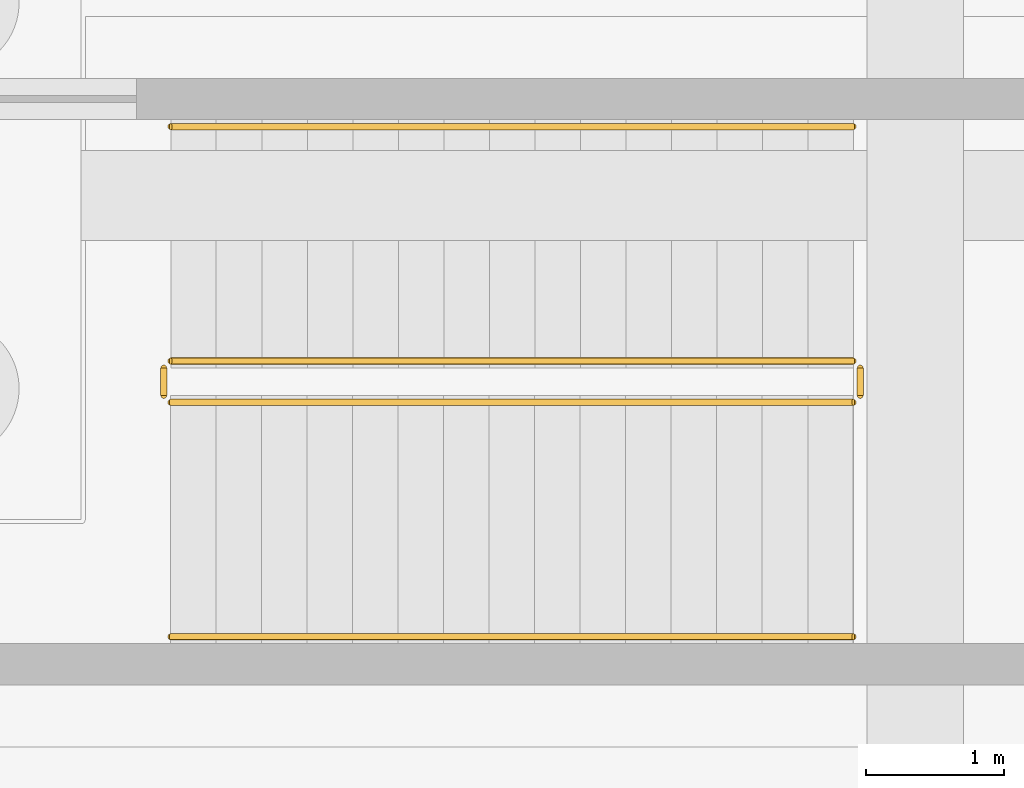
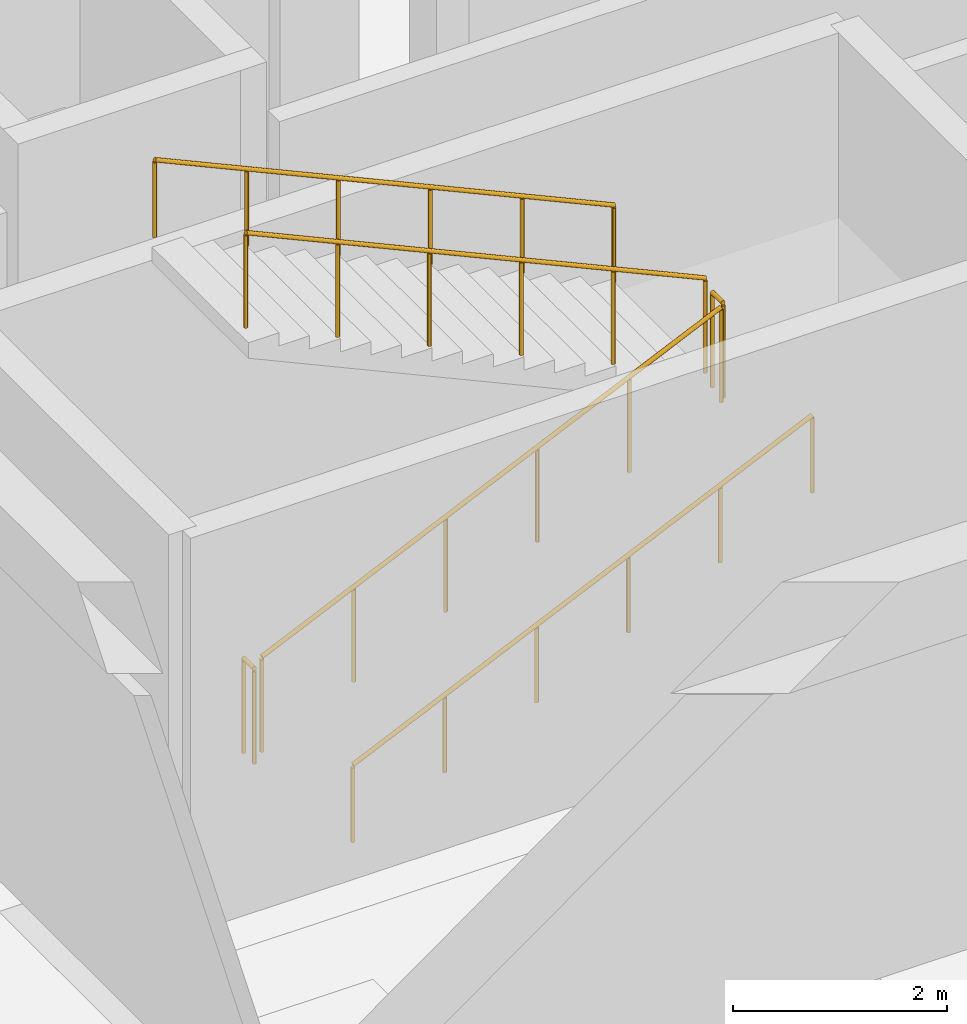
# One storey, part 75 of 80: 6 railings.
"""IFC4 building model written with IfcOpenShell, lengths in metres."""

from ifc_helpers import new_model, si_unit, direction, frame, origin, origin_2d, place, context, subcontext, project, spatial, circle, extrude, material, layer, layer_set, type_object, element, save


model = new_model("IFC4")

# Units and contexts
model_context = context("Model", 3, precision=1e-05, world=origin(), true_north=direction((0.0, 1.0)))
body_context = subcontext(model_context, "Body", "Model", "MODEL_VIEW")
ifc_project = project(units=[si_unit("LENGTHUNIT", "METRE"), si_unit("AREAUNIT", "SQUARE_METRE"), si_unit("VOLUMEUNIT", "CUBIC_METRE"), si_unit("PLANEANGLEUNIT", "RADIAN"), si_unit("MASSUNIT", "GRAM", prefix="KILO")], contexts=[model_context])

# Site, building, storey
site_placement = place(None, origin())
site = spatial("IfcSite", under=ifc_project, at=site_placement, CompositionType="ELEMENT")
building_placement = place(site_placement, origin())
building = spatial("IfcBuilding", under=site, at=building_placement, Name="Malvenik Polytechnic", CompositionType="ELEMENT")
storey_placement = place(building_placement, frame((0.0, 0.0, -4.800048828125)))
storey = spatial("IfcBuildingStorey", under=building, at=storey_placement, Name="B1", CompositionType="ELEMENT", Elevation=-4.800048828125)

# Railings
ifc_material_1 = material(Name="Painted galvanised steel stair well balustrade 1100mm", Category="steel")
ifc_layer_1 = layer(ifc_material_1, 0.050048828125)
ifc_layer_set_1 = layer_set([ifc_layer_1], Name="Painted galvanised steel stair well balustrade 1100mm")
railing_type_1 = type_object("IfcRailingType", Name="ARC-RL-STGD", PredefinedType="BALUSTRADE", material=ifc_layer_set_1)
railing_1_placement = place(storey_placement, frame((53.39990234375, 120.89990234375, 0.150146484375)))
element("IfcRailing", 1, at=railing_1_placement, inside=storey, type_object=railing_type_1, Name="B1 ST-02 stair guard 1", PredefinedType="BALUSTRADE", context=body_context, shape_type="SweptSolid", body=[
    extrude(circle(Radius=0.02392578125, at=origin_2d()), frame((0.0, 0.0, 1.076171875), z_axis=(0.910372627913, 0.0, 0.413789413043), x_axis=(0.0, 1.0, 0.0)), (0.0, 0.0, 1.0), 5.4375),
    extrude(circle(Radius=0.02099609375, at=origin_2d()), origin(), (0.0, 0.0, 1.0), 1.052001953125),
    extrude(circle(Radius=0.02099609375, at=origin_2d()), frame((0.989990234375, 0.0, 0.449951171875)), (0.0, 0.0, 1.0), 1.052001953125),
    extrude(circle(Radius=0.02099609375, at=origin_2d()), frame((1.97998046875, 0.0, 0.89990234375)), (0.0, 0.0, 1.0), 1.052001953125),
    extrude(circle(Radius=0.02099609375, at=origin_2d()), frame((2.97021484375, 0.0, 1.35009765625)), (0.0, 0.0, 1.0), 1.052001953125),
    extrude(circle(Radius=0.02099609375, at=origin_2d()), frame((3.960205078125, 0.0, 1.800048828125)), (0.0, 0.0, 1.0), 1.052001953125),
    extrude(circle(Radius=0.02099609375, at=origin_2d()), frame((4.9501953125, 0.0, 2.25)), (0.0, 0.0, 1.0), 1.052001953125),
])
railing_2_placement = place(storey_placement, frame((58.39990234375, 120.949951171875, 2.400146484375)))
element("IfcRailing", 2, at=railing_2_placement, inside=storey, type_object=railing_type_1, Name="B1 ST-02 stair guard 2", PredefinedType="BALUSTRADE", context=body_context, shape_type="SweptSolid", body=[
    extrude(circle(Radius=0.02392578125, at=origin_2d()), frame((0.0, 0.0, 1.076171875), z_axis=(0.0, 1.0, 0.0), x_axis=(-1.0, 0.0, 0.0)), (0.0, 0.0, 1.0), 0.199951171875),
    extrude(circle(Radius=0.02099609375, at=origin_2d()), origin(), (0.0, 0.0, 1.0), 1.052001953125),
    extrude(circle(Radius=0.02099609375, at=origin_2d()), frame((0.0, 0.199951171875, 0.0)), (0.0, 0.0, 1.0), 1.052001953125),
])
railing_3_placement = place(storey_placement, frame((58.35009765625, 121.199951171875, 2.550048828125)))
element("IfcRailing", 3, at=railing_3_placement, inside=storey, type_object=railing_type_1, Name="B1 ST-02 stair guard 3", PredefinedType="BALUSTRADE", context=body_context, shape_type="SweptSolid", body=[
    extrude(circle(Radius=0.02392578125, at=origin_2d()), frame((0.0, 0.0, 1.076171875), z_axis=(-0.910372627913, 0.0, 0.413789413043), x_axis=(0.0, -1.0, 0.0)), (0.0, 0.0, 1.0), 5.4375),
    extrude(circle(Radius=0.02099609375, at=origin_2d()), origin(), (0.0, 0.0, 1.0), 1.052001953125),
    extrude(circle(Radius=0.02099609375, at=origin_2d()), frame((-0.989990234375, 0.0, 0.449951171875)), (0.0, 0.0, 1.0), 1.052001953125),
    extrude(circle(Radius=0.02099609375, at=origin_2d()), frame((-1.97998046875, 0.0, 0.89990234375)), (0.0, 0.0, 1.0), 1.052001953125),
    extrude(circle(Radius=0.02099609375, at=origin_2d()), frame((-2.97021484375, 0.0, 1.35009765625)), (0.0, 0.0, 1.0), 1.052001953125),
    extrude(circle(Radius=0.02099609375, at=origin_2d()), frame((-3.960205078125, 0.0, 1.800048828125)), (0.0, 0.0, 1.0), 1.052001953125),
    extrude(circle(Radius=0.02099609375, at=origin_2d()), frame((-4.9501953125, 0.0, 2.25)), (0.0, 0.0, 1.0), 1.052001953125),
])
railing_4_placement = place(storey_placement, frame((53.35009765625, 120.949951171875, 0.0)))
element("IfcRailing", 4, at=railing_4_placement, inside=storey, type_object=railing_type_1, Name="B1 ST-02 stair guard 4", PredefinedType="BALUSTRADE", context=body_context, shape_type="SweptSolid", body=[
    extrude(circle(Radius=0.02392578125, at=origin_2d()), frame((0.0, 0.0, 1.076171875), z_axis=(0.0, 1.0, 0.0), x_axis=(-1.0, 0.0, 0.0)), (0.0, 0.0, 1.0), 0.199951171875),
    extrude(circle(Radius=0.02099609375, at=origin_2d()), origin(), (0.0, 0.0, 1.0), 1.052001953125),
    extrude(circle(Radius=0.02099609375, at=origin_2d()), frame((0.0, 0.199951171875, 0.0)), (0.0, 0.0, 1.0), 1.052001953125),
])
ifc_material_2 = material(Name="Brushed stainless steel 1.4301 stair wall handrail", Category="steel")
ifc_layer_2 = layer(ifc_material_2, 0.044921875)
ifc_layer_set_2 = layer_set([ifc_layer_2], Name="Brushed stainless steel 1.4301 stair wall handrail")
railing_type_2 = type_object("IfcRailingType", Name="ARC-RL-STHR", PredefinedType="HANDRAIL", material=ifc_layer_set_2)
railing_5_placement = place(storey_placement, frame((53.39990234375, 119.199951171875, 0.150146484375)))
element("IfcRailing", 5, at=railing_5_placement, inside=storey, type_object=railing_type_2, Name="B1 ST-02 stair handrail 1", PredefinedType="HANDRAIL", context=body_context, shape_type="SweptSolid", body=[
    extrude(circle(Radius=0.02392578125, at=origin_2d()), frame((0.0, 0.0, 0.8759765625), z_axis=(0.910372627913, 0.0, 0.413789413043), x_axis=(0.0, 1.0, 0.0)), (0.0, 0.0, 1.0), 5.4375),
    extrude(circle(Radius=0.02099609375, at=origin_2d()), origin(), (0.0, 0.0, 1.0), 0.851806640625),
    extrude(circle(Radius=0.02099609375, at=origin_2d()), frame((0.989990234375, 0.0, 0.449951171875)), (0.0, 0.0, 1.0), 0.851806640625),
    extrude(circle(Radius=0.02099609375, at=origin_2d()), frame((1.97998046875, 0.0, 0.89990234375)), (0.0, 0.0, 1.0), 0.851806640625),
    extrude(circle(Radius=0.02099609375, at=origin_2d()), frame((2.97021484375, 0.0, 1.35009765625)), (0.0, 0.0, 1.0), 0.851806640625),
    extrude(circle(Radius=0.02099609375, at=origin_2d()), frame((3.960205078125, 0.0, 1.800048828125)), (0.0, 0.0, 1.0), 0.851806640625),
    extrude(circle(Radius=0.02099609375, at=origin_2d()), frame((4.9501953125, 0.0, 2.25)), (0.0, 0.0, 1.0), 0.851806640625),
])
railing_6_placement = place(storey_placement, frame((58.35009765625, 122.89990234375, 2.550048828125)))
element("IfcRailing", 6, at=railing_6_placement, inside=storey, type_object=railing_type_2, Name="B1 ST-02 stair handrail 2", PredefinedType="HANDRAIL", context=body_context, shape_type="SweptSolid", body=[
    extrude(circle(Radius=0.02392578125, at=origin_2d()), frame((0.0, 0.0, 0.8759765625), z_axis=(-0.910372627913, 0.0, 0.413789413043), x_axis=(0.0, -1.0, 0.0)), (0.0, 0.0, 1.0), 5.4375),
    extrude(circle(Radius=0.02099609375, at=origin_2d()), origin(), (0.0, 0.0, 1.0), 0.851806640625),
    extrude(circle(Radius=0.02099609375, at=origin_2d()), frame((-0.989990234375, 0.0, 0.449951171875)), (0.0, 0.0, 1.0), 0.851806640625),
    extrude(circle(Radius=0.02099609375, at=origin_2d()), frame((-1.97998046875, 0.0, 0.89990234375)), (0.0, 0.0, 1.0), 0.851806640625),
    extrude(circle(Radius=0.02099609375, at=origin_2d()), frame((-2.97021484375, 0.0, 1.35009765625)), (0.0, 0.0, 1.0), 0.851806640625),
    extrude(circle(Radius=0.02099609375, at=origin_2d()), frame((-3.960205078125, 0.0, 1.800048828125)), (0.0, 0.0, 1.0), 0.851806640625),
    extrude(circle(Radius=0.02099609375, at=origin_2d()), frame((-4.9501953125, 0.0, 2.25)), (0.0, 0.0, 1.0), 0.851806640625),
])

save(model, "model.ifc")
